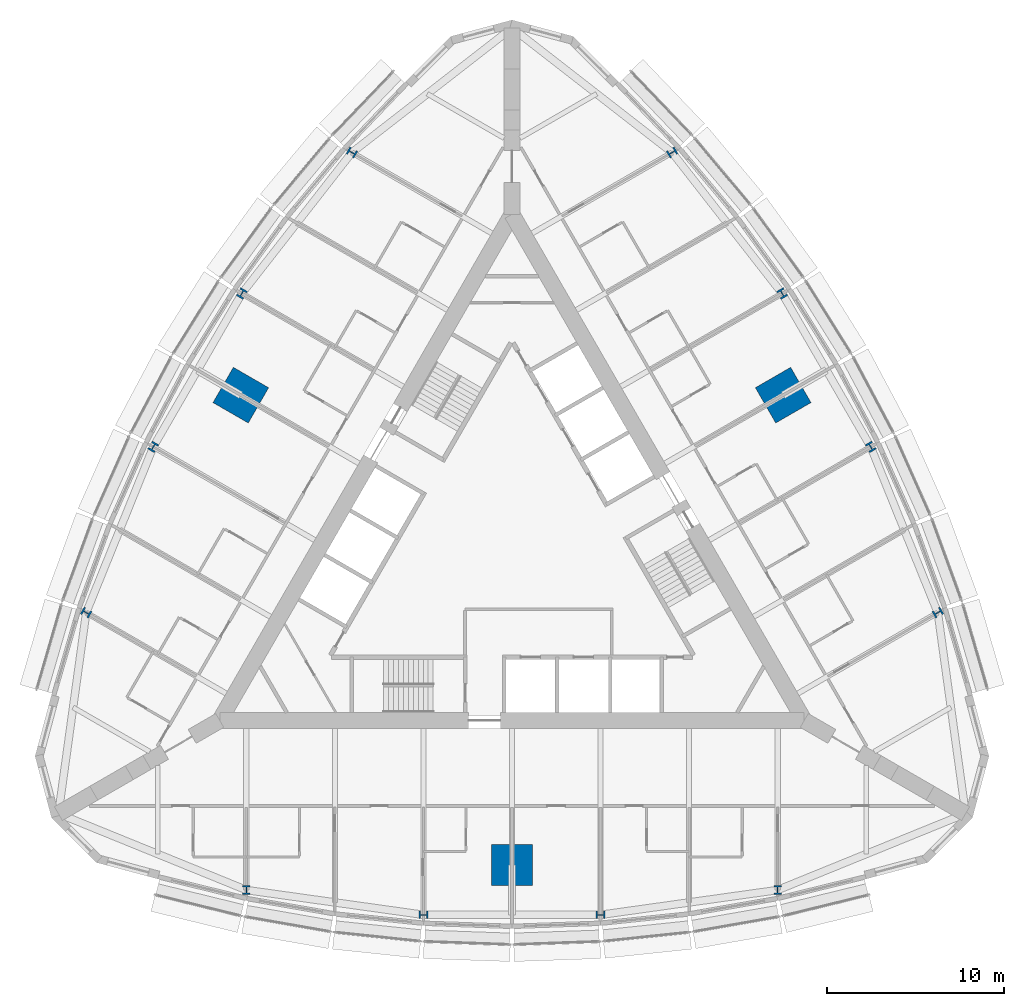
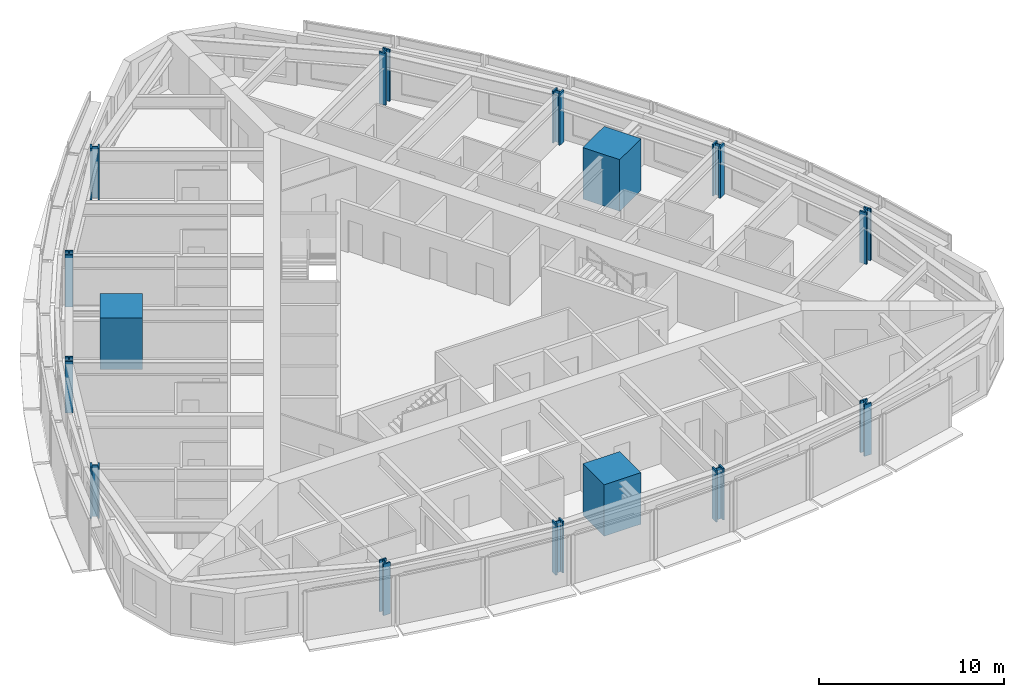
# One storey, part 1 of 14: 15 columns.
"""IFC4 building model written with IfcOpenShell, lengths in metres."""

from ifc_helpers import new_model, si_unit, direction, frame, origin, origin_2d, place, context, subcontext, project, spatial, rectangle, i_section, extrude, material, material_profile, profile_set, type_object, element, save


model = new_model("IFC4")

# Units and contexts
model_context = context("Model", 3, precision=1e-05, world=origin(), true_north=direction((0.0, 1.0)))
body_context = subcontext(model_context, "Body", "Model", "MODEL_VIEW")
ifc_project = project(units=[si_unit("LENGTHUNIT", "METRE"), si_unit("AREAUNIT", "SQUARE_METRE"), si_unit("VOLUMEUNIT", "CUBIC_METRE"), si_unit("PLANEANGLEUNIT", "RADIAN"), si_unit("MASSUNIT", "GRAM", prefix="KILO")], contexts=[model_context])

# Site, building, storey
site_placement = place(None, origin())
site = spatial("IfcSite", under=ifc_project, at=site_placement, CompositionType="ELEMENT")
building_placement = place(site_placement, origin())
building = spatial("IfcBuilding", under=site, at=building_placement, Name="Trikona Tower", CompositionType="ELEMENT")
storey_placement = place(building_placement, frame((0.0, 0.0, 135.10009765625)))
storey = spatial("IfcBuildingStorey", under=building, at=storey_placement, Name="L35", CompositionType="ELEMENT", Elevation=135.10009765625)

# Columns
ifc_material_1 = material(Name="Concrete f'c 10000 psi with encased steel section", Category="concrete")
ifc_material_profile_1 = material_profile(ifc_material_1, rectangle(XDim=2.300048828125, YDim=2.300048828125, at=origin_2d()), Name="MC2300")
ifc_profile_set_1 = profile_set([ifc_material_profile_1], Name="Concrete f'c 10000 psi with encased steel section")
column_type_1 = type_object("IfcColumnType", Name="Composite mega column 2300x2300", PredefinedType="COLUMN", material=ifc_profile_set_1)
for number, where, z_axis, x_axis, name in (
    (1, (0.0, -17.680419921875, 0.0), (0.0, 0.0, 1.0), (0.0, -1.0, 0.0), "Mega column MC1"),
    (2, (15.311767578125, 8.84033203125, 0.0), (0.0, 0.0, 1.0), (0.866025403784, 0.5, 0.0), "Mega column MC2"),
    (3, (-15.311767578125, 8.84033203125, 0.0), (0.0, 0.0, 1.0), (-0.866025403784, 0.5, 0.0), "Mega column MC3"),
):
    element("IfcColumn", number, at=place(storey_placement, frame(where, z_axis=z_axis, x_axis=x_axis)), inside=storey, type_object=column_type_1, Name=name, PredefinedType="COLUMN", context=body_context, shape_type="SweptSolid", body=[
        extrude(rectangle(XDim=2.300048828125, YDim=2.300048828125, at=origin_2d()), origin(), (0.0, 0.0, 1.0), 3.39990234375),
    ])
ifc_material_2 = material(Name="Steel ASTM A992 Grade 50", Category="steel")
ifc_material_profile_2 = material_profile(ifc_material_2, i_section(OverallWidth=0.436767578125, OverallDepth=0.51318359375, WebThickness=0.060546875, FlangeThickness=0.096923828125, at=origin_2d()), Name="W14X550")
ifc_profile_set_2 = profile_set([ifc_material_profile_2], Name="Steel ASTM A992 Grade 50")
column_type_2 = type_object("IfcColumnType", Name="Steel column W14x550", PredefinedType="COLUMN", material=ifc_profile_set_2)
for number, where, z_axis, x_axis, name in (
    (4, (-15.0, -19.10009765625, 0.0), (0.0, 0.0, 1.0), (1.0, 0.0, 0.0), "Column F0m15"),
    (5, (-5.0, -20.500244140625, 0.0), (0.0, 0.0, 1.0), (0.0, -1.0, 0.0), "Column F0m5"),
    (6, (5.0, -20.500244140625, 0.0), (0.0, 0.0, 1.0), (0.0, -1.0, 0.0), "Column F0p5"),
    (7, (15.0, -19.10009765625, 0.0), (0.0, 0.0, 1.0), (1.0, 0.0, 0.0), "Column F0p15"),
    (8, (24.041259765625, -3.440185546875, 0.0), (0.0, 0.0, 1.0), (-0.5, 0.866025403784, 0.0), "Column F1m15"),
    (9, (20.253662109375, 5.919921875, 0.0), (0.0, 0.0, 1.0), (0.866025403784, 0.5, 0.0), "Column F1m5"),
    (10, (15.253662109375, 14.580078125, 0.0), (0.0, 0.0, 1.0), (0.866025403784, 0.5, 0.0), "Column F1p5"),
    (11, (9.041259765625, 22.54052734375, 0.0), (0.0, 0.0, 1.0), (-0.5, 0.866025403784, 0.0), "Column F1p15"),
    (12, (-9.041259765625, 22.54052734375, 0.0), (0.0, 0.0, 1.0), (-0.5, -0.866025403784, 0.0), "Column F2m15"),
    (13, (-15.253662109375, 14.580078125, 0.0), (0.0, 0.0, 1.0), (-0.866025403784, 0.5, 0.0), "Column F2m5"),
    (14, (-20.253662109375, 5.919921875, 0.0), (0.0, 0.0, 1.0), (-0.866025403784, 0.5, 0.0), "Column F2p5"),
    (15, (-24.041259765625, -3.440185546875, 0.0), (0.0, 0.0, 1.0), (-0.5, -0.866025403784, 0.0), "Column F2p15"),
):
    element("IfcColumn", number, at=place(storey_placement, frame(where, z_axis=z_axis, x_axis=x_axis)), inside=storey, type_object=column_type_2, Name=name, PredefinedType="COLUMN", context=body_context, shape_type="SweptSolid", body=[
        extrude(i_section(OverallWidth=0.436767578125, OverallDepth=0.51318359375, WebThickness=0.060546875, FlangeThickness=0.096923828125, at=origin_2d()), origin(), (0.0, 0.0, 1.0), 3.39990234375),
    ])

save(model, "model.ifc")
